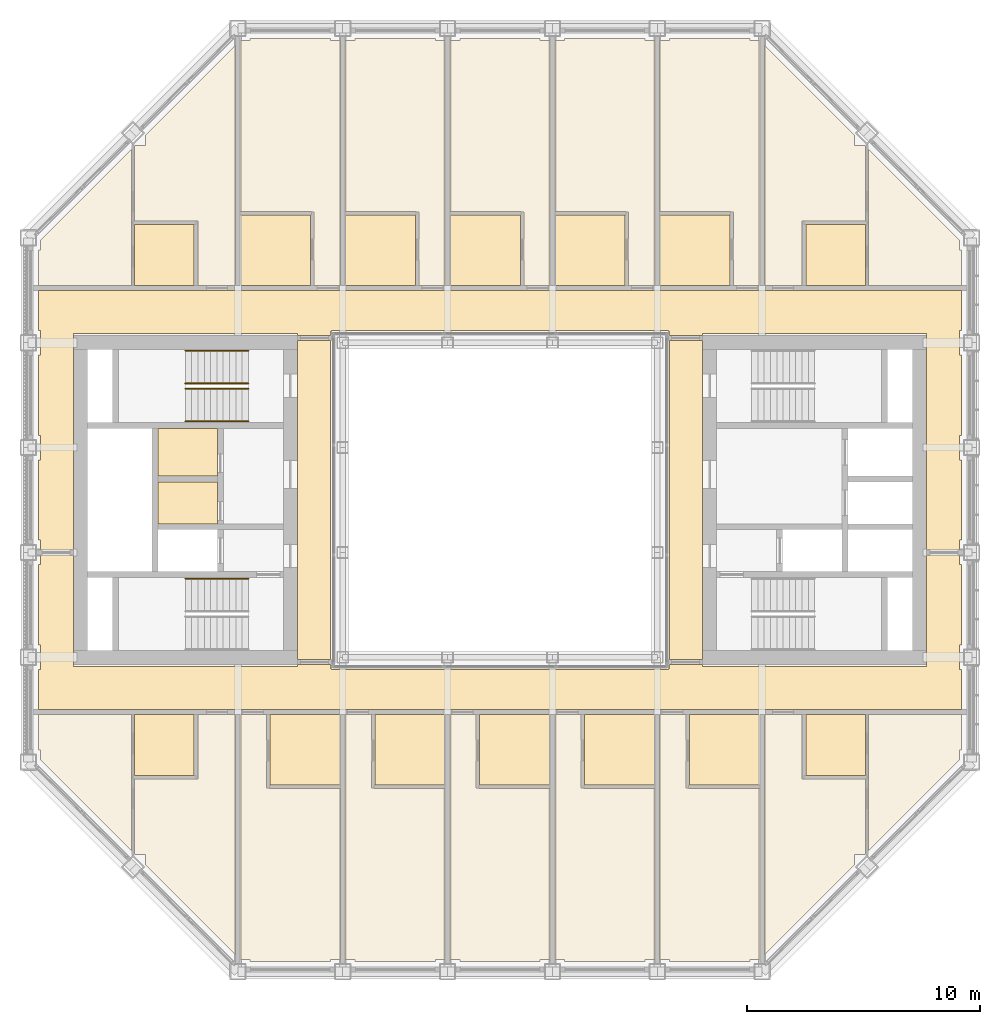
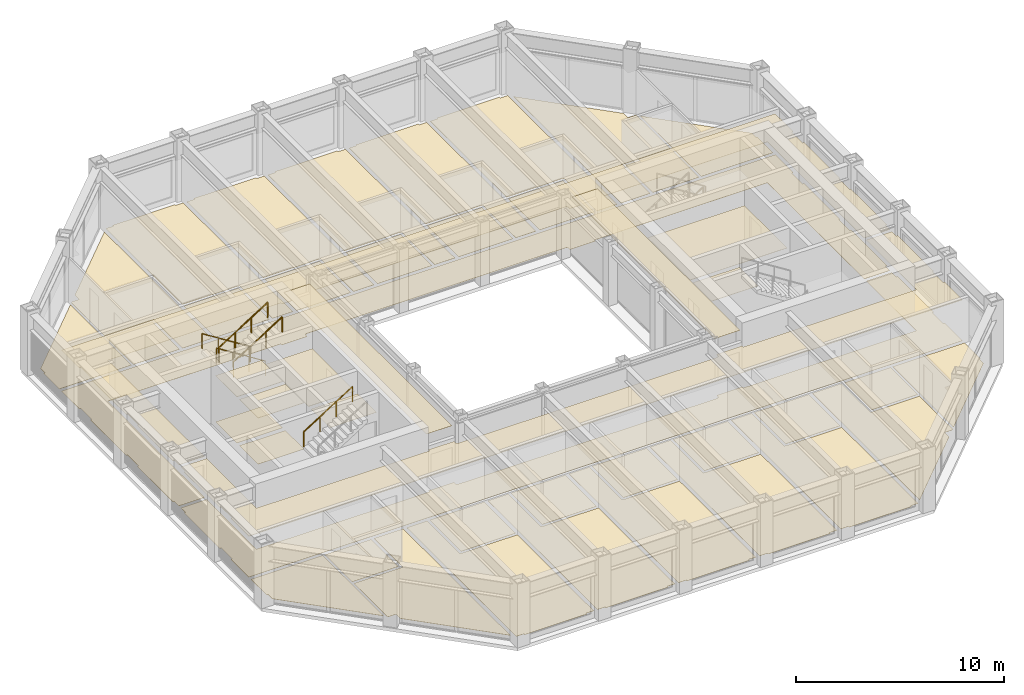
# One storey, part 16 of 18: 6 coverings, 5 railings.
"""IFC4 building model written with IfcOpenShell, lengths in metres."""

from ifc_helpers import new_model, si_unit, direction, frame, origin, origin_2d, place, context, subcontext, project, spatial, line, indexed_curve, circle, outline, extrude, material, layer, layer_set, type_object, element, save


model = new_model("IFC4")

# Units and contexts
model_context = context("Model", 3, precision=1e-05, world=origin(), true_north=direction((0.0, 1.0)))
body_context = subcontext(model_context, "Body", "Model", "MODEL_VIEW")
ifc_project = project(units=[si_unit("LENGTHUNIT", "METRE"), si_unit("AREAUNIT", "SQUARE_METRE"), si_unit("VOLUMEUNIT", "CUBIC_METRE"), si_unit("PLANEANGLEUNIT", "RADIAN"), si_unit("MASSUNIT", "GRAM", prefix="KILO")], contexts=[model_context])

# Site, building, storey
site_placement = place(None, origin())
site = spatial("IfcSite", under=ifc_project, at=site_placement, CompositionType="ELEMENT")
building_placement = place(site_placement, origin())
building = spatial("IfcBuilding", under=site, at=building_placement, Name="Msasa Ring Tower", CompositionType="ELEMENT")
storey_placement = place(building_placement, frame((0.0, 0.0, 204.550048828125)))
storey = spatial("IfcBuildingStorey", under=building, at=storey_placement, Name="L53", CompositionType="ELEMENT", Elevation=204.550048828125)

# Coverings
ifc_material_1 = material(Name="Gypsum plasterboard on a steel suspension grid", Category="steel")
ifc_layer_1 = layer(ifc_material_1, 0.014892578125)
ifc_layer_set_1 = layer_set([ifc_layer_1], Name="C1 SUSPENDED PLASTERBOARD CEILING 15")
covering_type_1 = type_object("IfcCoveringType", Name="C1 SUSPENDED PLASTERBOARD CEILING 15", PredefinedType="CEILING", material=ifc_layer_set_1)
covering_1_placement = place(storey_placement, frame((0.0, 0.0, 2.39990234375)))
element("IfcCovering", 1, at=covering_1_placement, inside=storey, type_object=covering_type_1, Name="Suspended Plasterboard Ceiling 15 circulation L53", PredefinedType="CEILING", context=body_context, shape_type="SweptSolid", body=[
    extrude(outline(indexed_curve([(-8.699462890625, -7.050537109375), (-7.280029296875, -7.050537109375), (-7.280517578125, -7.23046875), (-7.22998046875, -7.23046875), (-7.22998046875, -7.280029296875), (7.22998046875, -7.280029296875), (7.22998046875, -7.23046875), (7.280517578125, -7.23046875), (7.280029296875, -7.050537109375), (8.699462890625, -7.050537109375), (8.699462890625, -7.150390625), (18.300537109375, -7.150390625), (18.300537109375, -2.3505859375), (19.724609375, -2.3505859375), (19.724609375, -2.775390625), (19.799560546875, -2.775390625), (19.799560546875, -6.224609375), (19.724609375, -6.224609375), (19.724609375, -7.275390625), (19.799560546875, -7.275390625), (19.799560546875, -8.99951171875), (-19.799560546875, -8.99951171875), (-19.799560546875, -7.275390625), (-19.724609375, -7.275390625), (-19.724609375, -6.224609375), (-19.799560546875, -6.224609375), (-19.799560546875, -2.775390625), (-19.724609375, -2.775390625), (-19.724609375, -2.3505859375), (-18.300537109375, -2.3505859375), (-18.300537109375, -7.150390625), (-8.699462890625, -7.150390625)], segments=[line(1, 2, 3, 4, 5, 6, 7, 8, 9, 10, 11, 12, 13, 14, 15, 16, 17, 18, 19, 20, 21, 22, 23, 24, 25, 26, 27, 28, 29, 30, 31, 32, 1)], self_intersect=False)), origin(), (0.0, 0.0, 1.0), 0.01513671875),
    extrude(outline(indexed_curve([(19.799560546875, 7.275390625), (19.724609375, 7.275390625), (19.724609375, 6.224609375), (19.799560546875, 6.224609375), (19.799560546875, 2.775390625), (19.724609375, 2.775390625), (19.724609375, 1.724609375), (19.799560546875, 1.724609375), (19.799560546875, -1.724609375), (19.724609375, -1.724609375), (19.724609375, -2.1494140625), (18.300537109375, -2.1494140625), (18.300537109375, 7.150390625), (8.699462890625, 7.150390625), (8.699462890625, 7.050537109375), (7.280029296875, 7.050537109375), (7.280517578125, 7.23046875), (7.22998046875, 7.23046875), (7.22998046875, 7.280029296875), (-7.22998046875, 7.280029296875), (-7.22998046875, 7.23046875), (-7.280517578125, 7.23046875), (-7.280029296875, 7.050537109375), (-8.699462890625, 7.050537109375), (-8.699462890625, 7.150390625), (-18.300537109375, 7.150390625), (-18.300537109375, -2.1494140625), (-19.724609375, -2.1494140625), (-19.724609375, -1.724609375), (-19.799560546875, -1.724609375), (-19.799560546875, 1.724609375), (-19.724609375, 1.724609375), (-19.724609375, 2.775390625), (-19.799560546875, 2.775390625), (-19.799560546875, 6.224609375), (-19.724609375, 6.224609375), (-19.724609375, 7.275390625), (-19.799560546875, 7.275390625), (-19.799560546875, 8.99951171875), (19.799560546875, 8.99951171875)], segments=[line(1, 2, 3, 4, 5, 6, 7, 8, 9, 10, 11, 12, 13, 14, 15, 16, 17, 18, 19, 20, 21, 22, 23, 24, 25, 26, 27, 28, 29, 30, 31, 32, 33, 34, 35, 36, 37, 38, 39, 40, 1)], self_intersect=False)), origin(), (0.0, 0.0, 1.0), 0.01513671875),
    extrude(outline(indexed_curve([(-11.87451171875, -3.074462890625), (-11.87451171875, -1.275390625), (-9.300537109375, -1.275390625), (-9.300537109375, -3.074462890625)], segments=[line(1, 2, 3, 4, 1)], self_intersect=False)), origin(), (0.0, 0.0, 1.0), 0.01513671875),
    extrude(outline(indexed_curve([(-9.300537109375, -1.0244140625), (-11.87451171875, -1.0244140625), (-11.87451171875, 3.074462890625), (-9.300537109375, 3.074462890625)], segments=[line(1, 2, 3, 4, 1)], self_intersect=False)), origin(), (0.0, 0.0, 1.0), 0.01513671875),
    extrude(outline(indexed_curve([(9.300537109375, -3.074462890625), (9.300537109375, -1.275390625), (11.87451171875, -1.275390625), (11.87451171875, -3.074462890625)], segments=[line(1, 2, 3, 4, 1)], self_intersect=False)), origin(), (0.0, 0.0, 1.0), 0.01513671875),
    extrude(outline(indexed_curve([(9.300537109375, -1.0244140625), (9.300537109375, 3.074462890625), (14.674560546875, 3.074462890625), (14.674560546875, -1.0244140625)], segments=[line(1, 2, 3, 4, 1)], self_intersect=False)), origin(), (0.0, 0.0, 1.0), 0.01513671875),
])
covering_2_placement = place(storey_placement, frame((0.0, 0.0, 3.199951171875)))
element("IfcCovering", 2, at=covering_2_placement, inside=storey, type_object=covering_type_1, Name="Suspended Plasterboard Ceiling 15 public rooms L53", PredefinedType="CEILING", context=body_context, shape_type="SweptSolid", body=[
    extrude(outline(indexed_curve([(-7.280029296875, 6.849609375), (-7.280029296875, -6.849609375), (-8.699462890625, -6.849609375), (-8.699462890625, 6.849609375)], segments=[line(1, 2, 3, 4, 1)], self_intersect=False)), origin(), (0.0, 0.0, 1.0), 0.014892578125),
    extrude(outline(indexed_curve([(8.699462890625, 6.849609375), (8.699462890625, -6.849609375), (7.280029296875, -6.849609375), (7.280029296875, 6.849609375)], segments=[line(1, 2, 3, 4, 1)], self_intersect=False)), origin(), (0.0, 0.0, 1.0), 0.014892578125),
])
ifc_material_2 = material(Name="Mineral fibre ceiling tiles on an exposed steel grid", Category="steel")
ifc_layer_2 = layer(ifc_material_2, 0.02001953125)
ifc_layer_set_2 = layer_set([ifc_layer_2], Name="C3 ACOUSTIC MINERAL FIBRE TILE CEILING 20")
covering_type_2 = type_object("IfcCoveringType", Name="C3 ACOUSTIC MINERAL FIBRE TILE CEILING 20", PredefinedType="CEILING", material=ifc_layer_set_2)
covering_3_placement = place(storey_placement, frame((0.0, 0.0, 2.699951171875)))
element("IfcCovering", 3, at=covering_3_placement, inside=storey, type_object=covering_type_2, Name="Acoustic Mineral Fibre Tile Ceiling 20 L53", PredefinedType="CEILING", context=body_context, shape_type="SweptSolid", body=[
    extrude(outline(indexed_curve([(-12.12548828125, -1.0244140625), (-14.674560546875, -1.0244140625), (-14.674560546875, 0.7744140625), (-12.12548828125, 0.7744140625)], segments=[line(1, 2, 3, 4, 1)], self_intersect=False)), origin(), (0.0, 0.0, 1.0), 0.02001953125),
    extrude(outline(indexed_curve([(-12.12548828125, 3.074462890625), (-12.12548828125, 1.025390625), (-14.674560546875, 1.025390625), (-14.674560546875, 3.074462890625)], segments=[line(1, 2, 3, 4, 1)], self_intersect=False)), origin(), (0.0, 0.0, 1.0), 0.02001953125),
])
ifc_material_3 = material(Name="Wool-blend carpet on felt underlay", Category="textile")
ifc_layer_3 = layer(ifc_material_3, 0.011962890625)
ifc_layer_set_3 = layer_set([ifc_layer_3], Name="F2 CARPET ON UNDERLAY 12")
covering_type_3 = type_object("IfcCoveringType", Name="F2 CARPET ON UNDERLAY 12", PredefinedType="FLOORING", material=ifc_layer_set_3)
covering_4_placement = place(storey_placement, origin())
element("IfcCovering", 4, at=covering_4_placement, inside=storey, type_object=covering_type_3, Name="Carpet On Underlay 12 L53", PredefinedType="FLOORING", context=body_context, shape_type="SweptSolid", body=[
    extrude(outline(indexed_curve([(-19.799560546875, -9.200439453125), (-15.810546875, -9.200439453125), (-15.810546875, -15.052490234375), (-19.724609375, -11.138427734375), (-19.724609375, -10.724609375), (-19.799560546875, -10.724609375)], segments=[line(1, 2, 3, 4, 5, 6, 1)], self_intersect=False)), origin(), (0.0, 0.0, 1.0), 0.011962890625),
    extrude(outline(indexed_curve([(8.699462890625, -7.150390625), (18.300537109375, -7.150390625), (18.300537109375, -2.3505859375), (19.724609375, -2.3505859375), (19.724609375, -2.775390625), (19.799560546875, -2.775390625), (19.799560546875, -6.224609375), (19.724609375, -6.224609375), (19.724609375, -7.275390625), (19.799560546875, -7.275390625), (19.799560546875, -8.99951171875), (-19.799560546875, -8.99951171875), (-19.799560546875, -7.275390625), (-19.724609375, -7.275390625), (-19.724609375, -6.224609375), (-19.799560546875, -6.224609375), (-19.799560546875, -2.775390625), (-19.724609375, -2.775390625), (-19.724609375, -2.3505859375), (-18.300537109375, -2.3505859375), (-18.300537109375, -7.150390625), (-8.699462890625, -7.150390625), (-8.699462890625, -7.050537109375), (-7.280029296875, -7.050537109375), (-7.280517578125, -7.23046875), (-7.22998046875, -7.23046875), (-7.22998046875, -7.280029296875), (7.22998046875, -7.280029296875), (7.22998046875, -7.23046875), (7.280517578125, -7.23046875), (7.280029296875, -7.050537109375), (8.699462890625, -7.050537109375)], segments=[line(1, 2, 3, 4, 5, 6, 7, 8, 9, 10, 11, 12, 13, 14, 15, 16, 17, 18, 19, 20, 21, 22, 23, 24, 25, 26, 27, 28, 29, 30, 31, 32, 1)], self_intersect=False)), origin(), (0.0, 0.0, 1.0), 0.011962890625),
    extrude(outline(indexed_curve([(18.300537109375, -2.1494140625), (18.300537109375, 7.150390625), (8.699462890625, 7.150390625), (8.699462890625, 7.050537109375), (7.280029296875, 7.050537109375), (7.280517578125, 7.23046875), (7.22998046875, 7.23046875), (7.22998046875, 7.280029296875), (-7.22998046875, 7.280029296875), (-7.22998046875, 7.23046875), (-7.280517578125, 7.23046875), (-7.280029296875, 7.050537109375), (-8.699462890625, 7.050537109375), (-8.699462890625, 7.150390625), (-18.300537109375, 7.150390625), (-18.300537109375, -2.1494140625), (-19.724609375, -2.1494140625), (-19.724609375, -1.724609375), (-19.799560546875, -1.724609375), (-19.799560546875, 1.724609375), (-19.724609375, 1.724609375), (-19.724609375, 2.775390625), (-19.799560546875, 2.775390625), (-19.799560546875, 6.224609375), (-19.724609375, 6.224609375), (-19.724609375, 7.275390625), (-19.799560546875, 7.275390625), (-19.799560546875, 8.99951171875), (19.799560546875, 8.99951171875), (19.799560546875, 7.275390625), (19.724609375, 7.275390625), (19.724609375, 6.224609375), (19.799560546875, 6.224609375), (19.799560546875, 2.775390625), (19.724609375, 2.775390625), (19.724609375, 1.724609375), (19.799560546875, 1.724609375), (19.799560546875, -1.724609375), (19.724609375, -1.724609375), (19.724609375, -2.1494140625)], segments=[line(1, 2, 3, 4, 5, 6, 7, 8, 9, 10, 11, 12, 13, 14, 15, 16, 17, 18, 19, 20, 21, 22, 23, 24, 25, 26, 27, 28, 29, 30, 31, 32, 33, 34, 35, 36, 37, 38, 39, 40, 1)], self_intersect=False)), origin(), (0.0, 0.0, 1.0), 0.011962890625),
    extrude(outline(indexed_curve([(-19.799560546875, 10.724609375), (-19.724609375, 10.724609375), (-19.724609375, 11.138427734375), (-15.810546875, 15.052490234375), (-15.810546875, 9.200439453125), (-19.799560546875, 9.200439453125)], segments=[line(1, 2, 3, 4, 5, 6, 1)], self_intersect=False)), origin(), (0.0, 0.0, 1.0), 0.011962890625),
    extrude(outline(indexed_curve([(-15.224609375, -15.638427734375), (-15.224609375, -15.224609375), (-15.638427734375, -15.224609375), (-15.689453125, -15.17333984375), (-15.689453125, -11.98046875), (-12.969482421875, -11.98046875), (-12.969482421875, -9.200439453125), (-11.3505859375, -9.200439453125), (-11.3505859375, -19.512451171875)], segments=[line(1, 2, 3, 4, 5, 6, 7, 8, 9, 1)], self_intersect=False)), origin(), (0.0, 0.0, 1.0), 0.011962890625),
    extrude(outline(indexed_curve([(-11.3505859375, 9.200439453125), (-12.969482421875, 9.200439453125), (-12.969482421875, 11.98046875), (-15.689453125, 11.98046875), (-15.689453125, 15.17333984375), (-15.638427734375, 15.224609375), (-15.224609375, 15.224609375), (-15.224609375, 15.638427734375), (-11.3505859375, 19.512451171875)], segments=[line(1, 2, 3, 4, 5, 6, 7, 8, 9, 1)], self_intersect=False)), origin(), (0.0, 0.0, 1.0), 0.011962890625),
    extrude(outline(indexed_curve([(-11.1494140625, -19.71337890625), (-11.1494140625, -9.200439453125), (-10.025390625, -9.200439453125), (-10.025390625, -12.35009765625), (-9.89990234375, -12.3505859375), (-9.89990234375, -12.37548828125), (-6.8505859375, -12.37548828125), (-6.8505859375, -19.724609375), (-7.275390625, -19.724609375), (-7.275390625, -19.799560546875), (-10.724609375, -19.799560546875), (-10.724609375, -19.724609375), (-11.138427734375, -19.724609375)], segments=[line(1, 2, 3, 4, 5, 6, 7, 8, 9, 10, 11, 12, 13, 1)], self_intersect=False)), origin(), (0.0, 0.0, 1.0), 0.011962890625),
    extrude(outline(indexed_curve([(-7.974609375, 9.200439453125), (-7.974609375, 12.35009765625), (-8.10009765625, 12.3505859375), (-8.10009765625, 12.37548828125), (-11.1494140625, 12.37548828125), (-11.1494140625, 19.71337890625), (-11.138427734375, 19.724609375), (-10.724609375, 19.724609375), (-10.724609375, 19.799560546875), (-7.275390625, 19.799560546875), (-7.275390625, 19.724609375), (-6.8505859375, 19.724609375), (-6.8505859375, 9.200439453125)], segments=[line(1, 2, 3, 4, 5, 6, 7, 8, 9, 10, 11, 12, 13, 1)], self_intersect=False)), origin(), (0.0, 0.0, 1.0), 0.011962890625),
    extrude(outline(indexed_curve([(-5.525390625, -9.200439453125), (-5.525390625, -12.35009765625), (-5.39990234375, -12.3505859375), (-5.39990234375, -12.37548828125), (-2.3505859375, -12.37548828125), (-2.3505859375, -19.724609375), (-2.775390625, -19.724609375), (-2.775390625, -19.799560546875), (-6.224609375, -19.799560546875), (-6.224609375, -19.724609375), (-6.6494140625, -19.724609375), (-6.6494140625, -9.200439453125)], segments=[line(1, 2, 3, 4, 5, 6, 7, 8, 9, 10, 11, 12, 1)], self_intersect=False)), origin(), (0.0, 0.0, 1.0), 0.011962890625),
    extrude(outline(indexed_curve([(-3.474609375, 9.200439453125), (-3.474609375, 12.35009765625), (-3.60009765625, 12.3505859375), (-3.60009765625, 12.37548828125), (-6.6494140625, 12.37548828125), (-6.6494140625, 19.724609375), (-6.224609375, 19.724609375), (-6.224609375, 19.799560546875), (-2.775390625, 19.799560546875), (-2.775390625, 19.724609375), (-2.3505859375, 19.724609375), (-2.3505859375, 9.200439453125)], segments=[line(1, 2, 3, 4, 5, 6, 7, 8, 9, 10, 11, 12, 1)], self_intersect=False)), origin(), (0.0, 0.0, 1.0), 0.011962890625),
    extrude(outline(indexed_curve([(-2.1494140625, -9.200439453125), (-1.025390625, -9.200439453125), (-1.025390625, -12.35009765625), (-0.89990234375, -12.3505859375), (-0.89990234375, -12.37548828125), (2.1494140625, -12.37548828125), (2.1494140625, -19.724609375), (1.724609375, -19.724609375), (1.724609375, -19.799560546875), (-1.724609375, -19.799560546875), (-1.724609375, -19.724609375), (-2.1494140625, -19.724609375)], segments=[line(1, 2, 3, 4, 5, 6, 7, 8, 9, 10, 11, 12, 1)], self_intersect=False)), origin(), (0.0, 0.0, 1.0), 0.011962890625),
    extrude(outline(indexed_curve([(2.1494140625, 9.200439453125), (1.025390625, 9.200439453125), (1.025390625, 12.35009765625), (0.89990234375, 12.3505859375), (0.89990234375, 12.37548828125), (-2.1494140625, 12.37548828125), (-2.1494140625, 19.724609375), (-1.724609375, 19.724609375), (-1.724609375, 19.799560546875), (1.724609375, 19.799560546875), (1.724609375, 19.724609375), (2.1494140625, 19.724609375)], segments=[line(1, 2, 3, 4, 5, 6, 7, 8, 9, 10, 11, 12, 1)], self_intersect=False)), origin(), (0.0, 0.0, 1.0), 0.011962890625),
    extrude(outline(indexed_curve([(2.3505859375, -9.200439453125), (3.474609375, -9.200439453125), (3.474609375, -12.35009765625), (3.60009765625, -12.3505859375), (3.60009765625, -12.37548828125), (6.6494140625, -12.37548828125), (6.6494140625, -19.724609375), (6.224609375, -19.724609375), (6.224609375, -19.799560546875), (2.775390625, -19.799560546875), (2.775390625, -19.724609375), (2.3505859375, -19.724609375)], segments=[line(1, 2, 3, 4, 5, 6, 7, 8, 9, 10, 11, 12, 1)], self_intersect=False)), origin(), (0.0, 0.0, 1.0), 0.011962890625),
    extrude(outline(indexed_curve([(5.525390625, 9.200439453125), (5.525390625, 12.35009765625), (5.39990234375, 12.3505859375), (5.39990234375, 12.37548828125), (2.3505859375, 12.37548828125), (2.3505859375, 19.724609375), (2.775390625, 19.724609375), (2.775390625, 19.799560546875), (6.224609375, 19.799560546875), (6.224609375, 19.724609375), (6.6494140625, 19.724609375), (6.6494140625, 9.200439453125)], segments=[line(1, 2, 3, 4, 5, 6, 7, 8, 9, 10, 11, 12, 1)], self_intersect=False)), origin(), (0.0, 0.0, 1.0), 0.011962890625),
    extrude(outline(indexed_curve([(7.275390625, -19.799560546875), (7.275390625, -19.724609375), (6.8505859375, -19.724609375), (6.8505859375, -9.200439453125), (7.974609375, -9.200439453125), (7.974609375, -12.35009765625), (8.10009765625, -12.3505859375), (8.10009765625, -12.37548828125), (11.1494140625, -12.37548828125), (11.1494140625, -19.71337890625), (11.138427734375, -19.724609375), (10.724609375, -19.724609375), (10.724609375, -19.799560546875)], segments=[line(1, 2, 3, 4, 5, 6, 7, 8, 9, 10, 11, 12, 13, 1)], self_intersect=False)), origin(), (0.0, 0.0, 1.0), 0.011962890625),
    extrude(outline(indexed_curve([(11.1494140625, 9.200439453125), (10.025390625, 9.200439453125), (10.025390625, 12.35009765625), (9.89990234375, 12.3505859375), (9.89990234375, 12.37548828125), (6.8505859375, 12.37548828125), (6.8505859375, 19.724609375), (7.275390625, 19.724609375), (7.275390625, 19.799560546875), (10.724609375, 19.799560546875), (10.724609375, 19.724609375), (11.138427734375, 19.724609375), (11.1494140625, 19.71337890625)], segments=[line(1, 2, 3, 4, 5, 6, 7, 8, 9, 10, 11, 12, 13, 1)], self_intersect=False)), origin(), (0.0, 0.0, 1.0), 0.011962890625),
    extrude(outline(indexed_curve([(11.3505859375, -9.200439453125), (12.969482421875, -9.200439453125), (12.969482421875, -11.98046875), (15.689453125, -11.98046875), (15.689453125, -15.17333984375), (15.638427734375, -15.224609375), (15.224609375, -15.224609375), (15.224609375, -15.638427734375), (11.3505859375, -19.512451171875)], segments=[line(1, 2, 3, 4, 5, 6, 7, 8, 9, 1)], self_intersect=False)), origin(), (0.0, 0.0, 1.0), 0.011962890625),
    extrude(outline(indexed_curve([(11.3505859375, 19.512451171875), (15.224609375, 15.638427734375), (15.224609375, 15.224609375), (15.638427734375, 15.224609375), (15.689453125, 15.17333984375), (15.689453125, 11.98046875), (12.969482421875, 11.98046875), (12.969482421875, 9.200439453125), (11.3505859375, 9.200439453125)], segments=[line(1, 2, 3, 4, 5, 6, 7, 8, 9, 1)], self_intersect=False)), origin(), (0.0, 0.0, 1.0), 0.011962890625),
    extrude(outline(indexed_curve([(15.810546875, -15.052490234375), (15.810546875, -9.200439453125), (19.799560546875, -9.200439453125), (19.799560546875, -10.724609375), (19.724609375, -10.724609375), (19.724609375, -11.138427734375)], segments=[line(1, 2, 3, 4, 5, 6, 1)], self_intersect=False)), origin(), (0.0, 0.0, 1.0), 0.011962890625),
    extrude(outline(indexed_curve([(19.724609375, 11.138427734375), (19.724609375, 10.724609375), (19.799560546875, 10.724609375), (19.799560546875, 9.200439453125), (15.810546875, 9.200439453125), (15.810546875, 15.052490234375)], segments=[line(1, 2, 3, 4, 5, 6, 1)], self_intersect=False)), origin(), (0.0, 0.0, 1.0), 0.011962890625),
])
ifc_material_4 = material(Name="Porcelain floor tiles in adhesive", Category="ceramic")
ifc_layer_4 = layer(ifc_material_4, 0.010009765625)
ifc_layer_set_4 = layer_set([ifc_layer_4], Name="F4 PORCELAIN TILE ON ADHESIVE 10")
covering_type_4 = type_object("IfcCoveringType", Name="F4 PORCELAIN TILE ON ADHESIVE 10", PredefinedType="FLOORING", material=ifc_layer_set_4)
covering_5_placement = place(storey_placement, origin())
element("IfcCovering", 5, at=covering_5_placement, inside=storey, type_object=covering_type_4, Name="Porcelain Tile On Adhesive 10 L53", PredefinedType="FLOORING", context=body_context, shape_type="SweptSolid", body=[
    extrude(outline(indexed_curve([(-13.130615234375, -9.200439453125), (-13.130615234375, -11.819580078125), (-15.689453125, -11.819580078125), (-15.689453125, -9.200439453125)], segments=[line(1, 2, 3, 4, 1)], self_intersect=False)), origin(), (0.0, 0.0, 1.0), 0.010009765625),
    extrude(outline(indexed_curve([(-13.130615234375, 11.819580078125), (-13.130615234375, 9.200439453125), (-15.689453125, 9.200439453125), (-15.689453125, 11.819580078125)], segments=[line(1, 2, 3, 4, 1)], self_intersect=False)), origin(), (0.0, 0.0, 1.0), 0.010009765625),
    extrude(outline(indexed_curve([(-11.1494140625, 9.200439453125), (-11.1494140625, 12.224609375), (-8.12548828125, 12.224609375), (-8.12548828125, 9.200439453125)], segments=[line(1, 2, 3, 4, 1)], self_intersect=False)), origin(), (0.0, 0.0, 1.0), 0.010009765625),
    extrude(outline(indexed_curve([(-6.8505859375, -9.200439453125), (-6.8505859375, -12.224609375), (-9.87451171875, -12.224609375), (-9.87451171875, -9.200439453125)], segments=[line(1, 2, 3, 4, 1)], self_intersect=False)), origin(), (0.0, 0.0, 1.0), 0.010009765625),
    extrude(outline(indexed_curve([(-6.6494140625, 9.200439453125), (-6.6494140625, 12.224609375), (-3.62548828125, 12.224609375), (-3.62548828125, 9.200439453125)], segments=[line(1, 2, 3, 4, 1)], self_intersect=False)), origin(), (0.0, 0.0, 1.0), 0.010009765625),
    extrude(outline(indexed_curve([(-2.3505859375, -9.200439453125), (-2.3505859375, -12.224609375), (-5.37451171875, -12.224609375), (-5.37451171875, -9.200439453125)], segments=[line(1, 2, 3, 4, 1)], self_intersect=False)), origin(), (0.0, 0.0, 1.0), 0.010009765625),
    extrude(outline(indexed_curve([(-2.1494140625, 9.200439453125), (-2.1494140625, 12.224609375), (0.87451171875, 12.224609375), (0.87451171875, 9.200439453125)], segments=[line(1, 2, 3, 4, 1)], self_intersect=False)), origin(), (0.0, 0.0, 1.0), 0.010009765625),
    extrude(outline(indexed_curve([(2.1494140625, -9.200439453125), (2.1494140625, -12.224609375), (-0.87451171875, -12.224609375), (-0.87451171875, -9.200439453125)], segments=[line(1, 2, 3, 4, 1)], self_intersect=False)), origin(), (0.0, 0.0, 1.0), 0.010009765625),
    extrude(outline(indexed_curve([(2.3505859375, 9.200439453125), (2.3505859375, 12.224609375), (5.37451171875, 12.224609375), (5.37451171875, 9.200439453125)], segments=[line(1, 2, 3, 4, 1)], self_intersect=False)), origin(), (0.0, 0.0, 1.0), 0.010009765625),
    extrude(outline(indexed_curve([(6.6494140625, -9.200439453125), (6.6494140625, -12.224609375), (3.62548828125, -12.224609375), (3.62548828125, -9.200439453125)], segments=[line(1, 2, 3, 4, 1)], self_intersect=False)), origin(), (0.0, 0.0, 1.0), 0.010009765625),
    extrude(outline(indexed_curve([(6.8505859375, 9.200439453125), (6.8505859375, 12.224609375), (9.87451171875, 12.224609375), (9.87451171875, 9.200439453125)], segments=[line(1, 2, 3, 4, 1)], self_intersect=False)), origin(), (0.0, 0.0, 1.0), 0.010009765625),
    extrude(outline(indexed_curve([(11.1494140625, -9.200439453125), (11.1494140625, -12.224609375), (8.12548828125, -12.224609375), (8.12548828125, -9.200439453125)], segments=[line(1, 2, 3, 4, 1)], self_intersect=False)), origin(), (0.0, 0.0, 1.0), 0.010009765625),
    extrude(outline(indexed_curve([(15.689453125, -9.200439453125), (15.689453125, -11.819580078125), (13.130615234375, -11.819580078125), (13.130615234375, -9.200439453125)], segments=[line(1, 2, 3, 4, 1)], self_intersect=False)), origin(), (0.0, 0.0, 1.0), 0.010009765625),
    extrude(outline(indexed_curve([(15.689453125, 11.819580078125), (15.689453125, 9.200439453125), (13.130615234375, 9.200439453125), (13.130615234375, 11.819580078125)], segments=[line(1, 2, 3, 4, 1)], self_intersect=False)), origin(), (0.0, 0.0, 1.0), 0.010009765625),
])
ifc_material_5 = material(Name="Welded vinyl safety sheet flooring", Category="vinyl")
ifc_layer_5 = layer(ifc_material_5, 0.0029296875)
ifc_layer_set_5 = layer_set([ifc_layer_5], Name="F5 RESILIENT SHEET FLOORING 3")
covering_type_5 = type_object("IfcCoveringType", Name="F5 RESILIENT SHEET FLOORING 3", PredefinedType="FLOORING", material=ifc_layer_set_5)
covering_6_placement = place(storey_placement, origin())
element("IfcCovering", 6, at=covering_6_placement, inside=storey, type_object=covering_type_5, Name="Resilient Sheet Flooring 3 L53", PredefinedType="FLOORING", context=body_context, shape_type="SweptSolid", body=[
    extrude(outline(indexed_curve([(-12.12548828125, -1.0244140625), (-14.674560546875, -1.0244140625), (-14.674560546875, 0.7744140625), (-12.12548828125, 0.7744140625)], segments=[line(1, 2, 3, 4, 1)], self_intersect=False)), origin(), (0.0, 0.0, 1.0), 0.0029296875),
    extrude(outline(indexed_curve([(-12.12548828125, 1.025390625), (-14.674560546875, 1.025390625), (-14.674560546875, 3.074462890625), (-12.12548828125, 3.074462890625)], segments=[line(1, 2, 3, 4, 1)], self_intersect=False)), origin(), (0.0, 0.0, 1.0), 0.0029296875),
])

# Railings
ifc_material_6 = material(Name="Stainless steel", Category="steel")
railing_type = type_object("IfcRailingType", Name="HR1 HANDRAIL 900", PredefinedType="HANDRAIL", material=ifc_material_6)
railing_placement = place(storey_placement, frame((-13.5, -3.375, 2.04541015625)))
element("IfcRailing", 7, at=railing_placement, inside=storey, type_object=railing_type, Name="Handrail stair SWA L53 4", PredefinedType="HANDRAIL", context=body_context, shape_type="SweptSolid", body=[
    extrude(circle(Radius=0.02392578125, at=origin_2d()), frame((0.0, 0.0, 0.8759765625), z_axis=(0.845579735284, 0.0, 0.533849146555), x_axis=(0.0, 1.0, 0.0)), (0.0, 0.0, 1.0), 3.193115234375),
    extrude(circle(Radius=0.02099609375, at=origin_2d()), origin(), (0.0, 0.0, 1.0), 0.851806640625),
    extrude(circle(Radius=0.02099609375, at=origin_2d()), frame((0.89990234375, 0.0, 0.568115234375)), (0.0, 0.0, 1.0), 0.851806640625),
    extrude(circle(Radius=0.02099609375, at=origin_2d()), frame((1.800048828125, 0.0, 1.136474609375)), (0.0, 0.0, 1.0), 0.851806640625),
    extrude(circle(Radius=0.02099609375, at=origin_2d()), frame((2.699951171875, 0.0, 1.70458984375)), (0.0, 0.0, 1.0), 0.851806640625),
])
for number, where, name in (
    (8, (-10.800048828125, 5.0, 0.17041015625), "Handrail stair SWB L53 1"),
    (9, (-10.800048828125, 6.39990234375, 0.17041015625), "Handrail stair SWB L53 2"),
):
    element("IfcRailing", number, at=place(storey_placement, frame(where)), inside=storey, type_object=railing_type, Name=name, PredefinedType="HANDRAIL", context=body_context, shape_type="SweptSolid", body=[
        extrude(circle(Radius=0.02392578125, at=origin_2d()), frame((0.0, 0.0, 0.8759765625), z_axis=(-0.845579735284, 0.0, 0.533849146555), x_axis=(0.0, -1.0, 0.0)), (0.0, 0.0, 1.0), 3.193115234375),
        extrude(circle(Radius=0.02099609375, at=origin_2d()), origin(), (0.0, 0.0, 1.0), 0.851806640625),
        extrude(circle(Radius=0.02099609375, at=origin_2d()), frame((-0.89990234375, 0.0, 0.568115234375)), (0.0, 0.0, 1.0), 0.851806640625),
        extrude(circle(Radius=0.02099609375, at=origin_2d()), frame((-1.800048828125, 0.0, 1.136474609375)), (0.0, 0.0, 1.0), 0.851806640625),
        extrude(circle(Radius=0.02099609375, at=origin_2d()), frame((-2.699951171875, 0.0, 1.70458984375)), (0.0, 0.0, 1.0), 0.851806640625),
    ])
for number, where, name in (
    (10, (-13.5, 3.375, 2.04541015625), "Handrail stair SWB L53 3"),
    (11, (-13.5, 4.77490234375, 2.04541015625), "Handrail stair SWB L53 4"),
):
    element("IfcRailing", number, at=place(storey_placement, frame(where)), inside=storey, type_object=railing_type, Name=name, PredefinedType="HANDRAIL", context=body_context, shape_type="SweptSolid", body=[
        extrude(circle(Radius=0.02392578125, at=origin_2d()), frame((0.0, 0.0, 0.8759765625), z_axis=(0.845579735284, 0.0, 0.533849146555), x_axis=(0.0, 1.0, 0.0)), (0.0, 0.0, 1.0), 3.193115234375),
        extrude(circle(Radius=0.02099609375, at=origin_2d()), origin(), (0.0, 0.0, 1.0), 0.851806640625),
        extrude(circle(Radius=0.02099609375, at=origin_2d()), frame((0.89990234375, 0.0, 0.568115234375)), (0.0, 0.0, 1.0), 0.851806640625),
        extrude(circle(Radius=0.02099609375, at=origin_2d()), frame((1.800048828125, 0.0, 1.136474609375)), (0.0, 0.0, 1.0), 0.851806640625),
        extrude(circle(Radius=0.02099609375, at=origin_2d()), frame((2.699951171875, 0.0, 1.70458984375)), (0.0, 0.0, 1.0), 0.851806640625),
    ])

save(model, "model.ifc")
